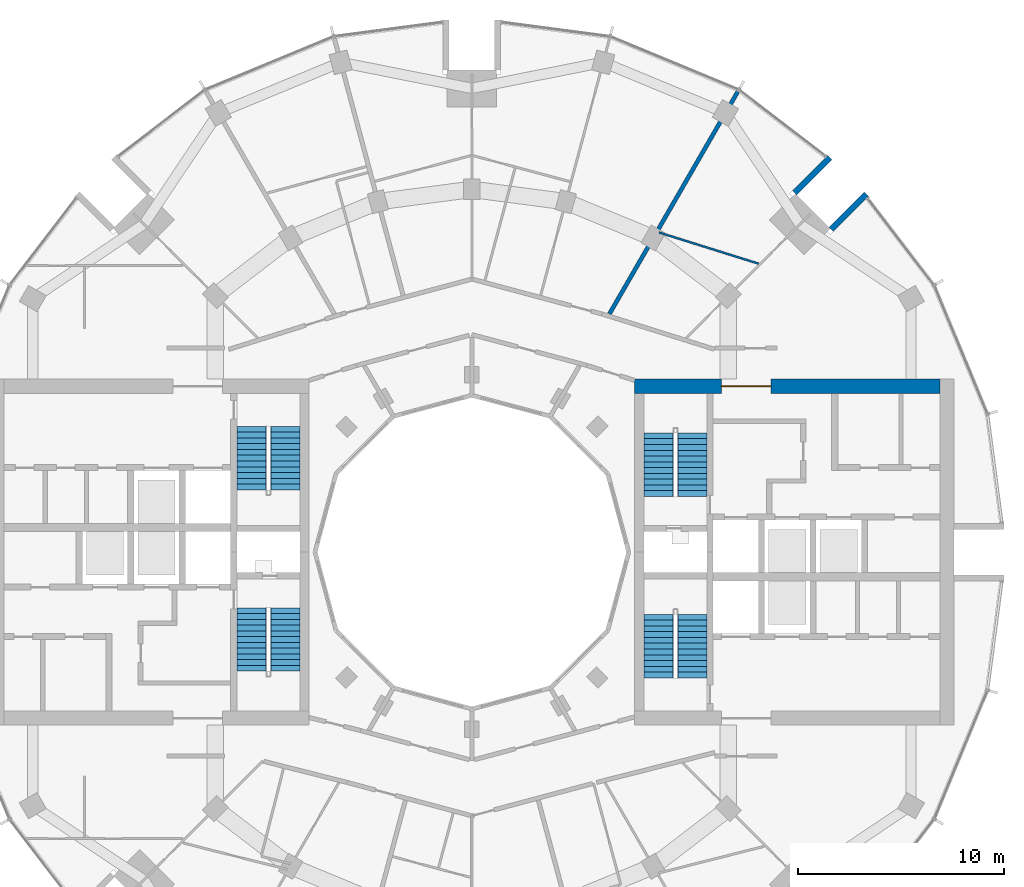
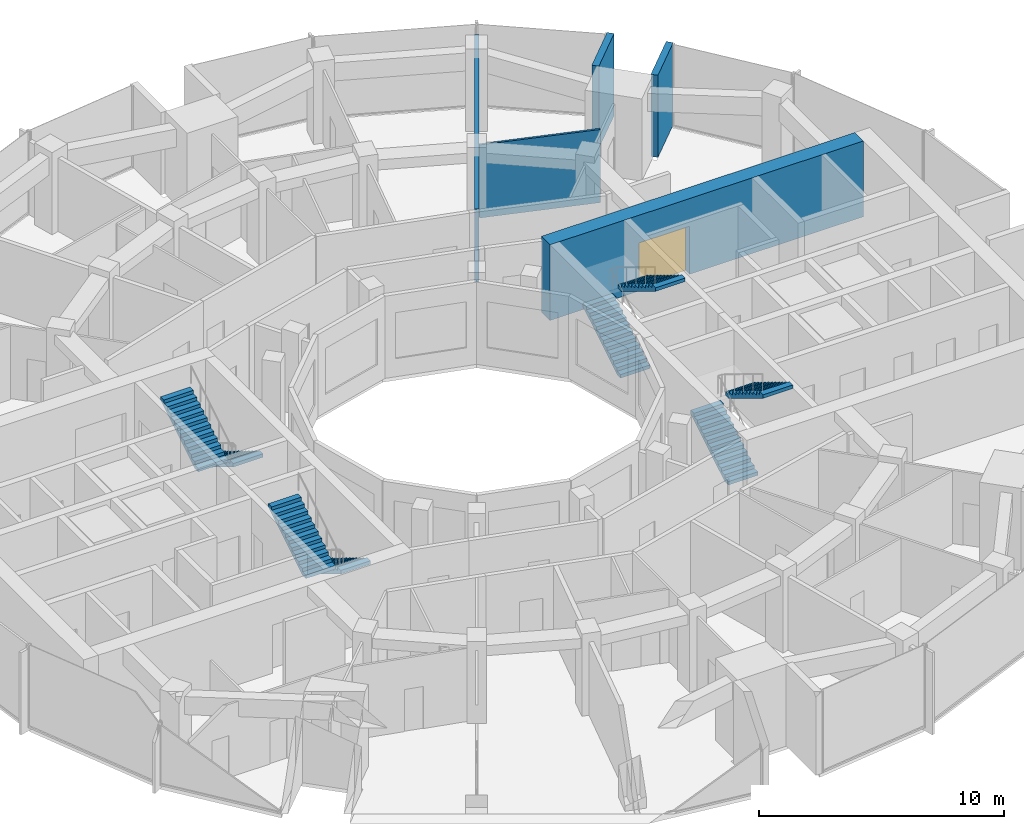
# One storey, part 13 of 15: 8 stair flights, 5 walls, 1 door, 1 opening, 4 elements without a shape of their own.
"""IFC4 building model written with IfcOpenShell, lengths in metres."""

from ifc_helpers import new_model, si_unit, direction, frame, frame_2d, origin, place, context, subcontext, project, spatial, polyline, rectangle, outline, extrude, material, layer, layer_set, type_object, element, fill, aggregate, save


model = new_model("IFC4")

# Units and contexts
model_context = context("Model", 3, precision=1e-05, world=origin(), true_north=direction((0.0, 1.0)))
body_context = subcontext(model_context, "Body", "Model", "MODEL_VIEW")
ifc_project = project(units=[si_unit("LENGTHUNIT", "METRE"), si_unit("AREAUNIT", "SQUARE_METRE"), si_unit("VOLUMEUNIT", "CUBIC_METRE"), si_unit("PLANEANGLEUNIT", "RADIAN"), si_unit("MASSUNIT", "GRAM", prefix="KILO")], contexts=[model_context])

# Site, building, storey
site_placement = place(None, origin())
site = spatial("IfcSite", under=ifc_project, at=site_placement, CompositionType="ELEMENT")
building_placement = place(site_placement, origin())
building = spatial("IfcBuilding", under=site, at=building_placement, Name="Torre Brocal", CompositionType="ELEMENT")
storey_placement = place(building_placement, frame((0.0, 0.0, 190.5)))
storey = spatial("IfcBuildingStorey", under=building, at=storey_placement, Name="L44", CompositionType="ELEMENT", Elevation=190.5)

# Wall, opening, door
ifc_material_1 = material(Name="Concrete C70", Category="concrete")
ifc_layer_1 = layer(ifc_material_1, 0.699951171875)
ifc_layer_set_1 = layer_set([ifc_layer_1], Name="Concrete C70")
wall_type_1 = type_object("IfcWallType", Name="CORE WALL 700 C70", PredefinedType="SHEAR", material=ifc_layer_set_1)
wall_1_placement = place(storey_placement, frame((87.89990234375, 83.050048828125, 0.0), z_axis=(0.0, 0.0, 1.0), x_axis=(1.0, 0.0, 0.0)))
wall_1 = element("IfcWall", 1, at=wall_1_placement, inside=storey, type_object=wall_type_1, Name="Wall CW700-70", PredefinedType="SHEAR", context=body_context, shape_type="SweptSolid", body=[
    extrude(rectangle(XDim=14.800048828125, YDim=0.699951171875, at=frame_2d((7.39990234375, 0.0))), origin(), (0.0, 0.0, 1.0), 3.780029296875),
])
opening_placement = place(wall_1_placement, frame((4.199951171875, 0.0, 0.0)))
opening = element("IfcOpeningElement", 2, at=opening_placement, cuts=wall_1, Name="Opening E-D34", PredefinedType="OPENING", context=body_context, shape_type="SweptSolid", body=[
    extrude(rectangle(XDim=2.39990234375, YDim=2.39990234375, at=frame_2d((1.199951171875, 1.199951171875))), frame((0.0, 0.35986328125, 0.0), z_axis=(0.0, -1.0, 0.0), x_axis=(1.0, 0.0, 0.0)), (0.0, 0.0, 1.0), 0.719970703125),
])
ifc_material_2 = material(Name="Steel A653", Category="steel")
door_type = type_object("IfcDoorType", Name="DOUBLE FIRE DOOR FD90 2400X2400", OperationType="DOUBLE_DOOR_SINGLE_SWING", PredefinedType="DOOR", material=ifc_material_2)
door_placement = place(opening_placement, frame((2.39990234375, 0.0, 0.0), z_axis=(0.0, 0.0, 1.0), x_axis=(-1.0, 0.0, 0.0)))
door = element("IfcDoor", 3, at=door_placement, inside=storey, type_object=door_type, Name="Door E-D34", OperationType="DOUBLE_DOOR_SINGLE_SWING", OverallHeight=2.39990234375, OverallWidth=2.39990234375, PredefinedType="DOOR", context=body_context, shape_type="SweptSolid", body=[
    extrude(rectangle(XDim=2.39990234375, YDim=2.39990234375, at=frame_2d((1.199951171875, 1.199951171875))), frame((0.0, 0.02490234375, 0.0), z_axis=(0.0, -1.0, 0.0), x_axis=(1.0, 0.0, 0.0)), (0.0, 0.0, 1.0), 0.050048828125),
])
fill(opening, door)

# Walls
ifc_material_3 = material(Name="Concrete C70", Category="concrete")
ifc_layer_2 = layer(ifc_material_3, 0.300048828125)
ifc_layer_set_2 = layer_set([ifc_layer_2], Name="Concrete C70")
wall_type_2 = type_object("IfcWallType", Name="NOTCH RETURN WALL 300 C70", PredefinedType="NOTDEFINED", material=ifc_layer_set_2)
for number, where, z_axis, x_axis, name in (
    (4, (97.43017578125, 90.662353515625, 0.0), (0.0, 0.0, 1.0), (0.707106781187, 0.707106781187, 0.0), "NOTCH RETURN WALL"),
    (5, (95.662353515625, 92.43017578125, 0.0), (0.0, 0.0, 1.0), (0.707106781187, 0.707106781187, 0.0), "NOTCH RETURN WALL"),
):
    element("IfcWall", number, at=place(storey_placement, frame(where, z_axis=z_axis, x_axis=x_axis)), inside=storey, type_object=wall_type_2, Name=name, PredefinedType="NOTDEFINED", context=body_context, shape_type="SweptSolid", body=[
        extrude(rectangle(XDim=2.415771484375, YDim=0.300048828125, at=frame_2d((1.2080078125, 0.0))), origin(), (0.0, 0.0, 1.0), 4.10009765625),
    ])
ifc_material_4 = material(Name="Gypsum board", Category="Gypsum")
ifc_layer_3 = layer(ifc_material_4, 0.10009765625)
ifc_layer_set_3 = layer_set([ifc_layer_3], Name="Gypsum board")
wall_type_3 = type_object("IfcWallType", Name="PARTITION 100", PredefinedType="PARTITIONING", material=ifc_layer_set_3)
wall_2_placement = place(storey_placement, frame((89.077880859375, 90.508056640625, 0.0), z_axis=(0.0, 0.0, 1.0), x_axis=(0.954199699612, -0.299170408398, 0.0)))
element("IfcWall", 6, at=wall_2_placement, inside=storey, type_object=wall_type_3, Name="BATHROOM WALL", PredefinedType="PARTITIONING", context=body_context, shape_type="SweptSolid", body=[
    extrude(rectangle(XDim=5.060302734375, YDim=0.10009765625, at=frame_2d((2.5302734375, 0.0))), origin(), (0.0, 0.0, 1.0), 3.64990234375),
])
ifc_material_5 = material(Name="Gypsum board", Category="Gypsum")
ifc_layer_4 = layer(ifc_material_5, 0.199951171875)
ifc_layer_set_4 = layer_set([ifc_layer_4], Name="Gypsum board")
wall_type_4 = type_object("IfcWallType", Name="PARTITION 200 EI60", PredefinedType="PARTITIONING", material=ifc_layer_set_4)
wall_3_placement = place(storey_placement, frame((86.67626953125, 86.562744140625, 0.0), z_axis=(0.0, 0.0, 1.0), x_axis=(0.500130524836, 0.865950032119, 0.0)))
element("IfcWall", 7, at=wall_3_placement, inside=storey, type_object=wall_type_4, Name="BATHROOM WALL", PredefinedType="PARTITIONING", context=body_context, shape_type="SweptSolid", body=[
    extrude(rectangle(XDim=12.446044921875, YDim=0.199951171875, at=frame_2d((6.22314453125, 0.0))), origin(), (0.0, 0.0, 1.0), 3.64990234375),
])

# Stair, stair flights
ifc_material_6 = material(Name="Concrete C50", Category="concrete")
stair_type = type_object("IfcStairType", Name="EXIT STAIR", PredefinedType="HALF_TURN_STAIR", material=ifc_material_6)
stair_1_placement = place(storey_placement, origin())
stair_1 = element("IfcStair", 8, at=stair_1_placement, inside=storey, type_object=stair_type, Name="EXIT STAIR ST1", PredefinedType="HALF_TURN_STAIR")
ifc_material_7 = material(Name="Concrete C50", Category="concrete")
ifc_layer_5 = layer(ifc_material_7, 0.14990234375)
ifc_layer_set_5 = layer_set([ifc_layer_5], Name="Concrete C50")
stair_flight_type = type_object("IfcStairFlightType", Name="STAIR FLIGHT", PredefinedType="STRAIGHT", material=ifc_layer_set_5)
stair_flight_1_placement = place(storey_placement, frame((89.050048828125, 77.699951171875, 0.0), z_axis=(0.0, 0.0, 1.0), x_axis=(0.0, 1.0, 0.0)))
stair_flight_1 = element("IfcStairFlight", 9, at=stair_flight_1_placement, type_object=stair_flight_type, Name="ST1 flight 1", NumberOfRisers=12, NumberOfTreads=11, PredefinedType="STRAIGHT", RiserHeight=0.170833333, TreadLength=0.28, context=body_context, shape_type="SweptSolid", body=[
    extrude(outline(polyline([(0.0, 0.0), (0.0, 0.1708984375), (0.280029296875, 0.1708984375), (0.280029296875, 0.341552734375), (0.56005859375, 0.341552734375), (0.56005859375, 0.512451171875), (0.840087890625, 0.512451171875), (0.840087890625, 0.683349609375), (1.1201171875, 0.683349609375), (1.1201171875, 0.854248046875), (1.39990234375, 0.854248046875), (1.39990234375, 1.02490234375), (1.679931640625, 1.02490234375), (1.679931640625, 1.19580078125), (1.9599609375, 1.19580078125), (1.9599609375, 1.36669921875), (2.239990234375, 1.36669921875), (2.239990234375, 1.53759765625), (2.52001953125, 1.53759765625), (2.52001953125, 1.708251953125), (2.800048828125, 1.708251953125), (2.800048828125, 1.879150390625), (3.080078125, 1.879150390625), (3.080078125, 2.050048828125), (3.080078125, 1.70361328125), (0.287841796875, 0.0), (0.0, 0.0)])), frame((0.0, 0.699951171875, 0.0), z_axis=(0.0, -1.0, 0.0), x_axis=(1.0, 0.0, 0.0)), (0.0, 0.0, 1.0), 1.39990234375),
])
stair_flight_2_placement = place(storey_placement, frame((90.699951171875, 80.780029296875, 2.050048828125), z_axis=(0.0, 0.0, 1.0), x_axis=(0.0, -1.0, 0.0)))
stair_flight_2 = element("IfcStairFlight", 10, at=stair_flight_2_placement, type_object=stair_flight_type, Name="ST1 flight 2", NumberOfRisers=12, NumberOfTreads=11, PredefinedType="STRAIGHT", RiserHeight=0.170833333, TreadLength=0.28, context=body_context, shape_type="SweptSolid", body=[
    extrude(outline(polyline([(0.0, 0.0), (0.0, 0.1708984375), (0.280029296875, 0.1708984375), (0.280029296875, 0.341552734375), (0.56005859375, 0.341552734375), (0.56005859375, 0.512451171875), (0.840087890625, 0.512451171875), (0.840087890625, 0.683349609375), (1.1201171875, 0.683349609375), (1.1201171875, 0.854248046875), (1.39990234375, 0.854248046875), (1.39990234375, 1.02490234375), (1.679931640625, 1.02490234375), (1.679931640625, 1.19580078125), (1.9599609375, 1.19580078125), (1.9599609375, 1.36669921875), (2.239990234375, 1.36669921875), (2.239990234375, 1.53759765625), (2.52001953125, 1.53759765625), (2.52001953125, 1.708251953125), (2.800048828125, 1.708251953125), (2.800048828125, 1.879150390625), (3.080078125, 1.879150390625), (3.080078125, 2.050048828125), (3.080078125, 1.70361328125), (0.287841796875, 0.0), (0.0, 0.0)])), frame((0.0, 0.699951171875, 0.0), z_axis=(0.0, -1.0, 0.0), x_axis=(1.0, 0.0, 0.0)), (0.0, 0.0, 1.0), 1.39990234375),
])
aggregate(stair_1, [stair_flight_1, stair_flight_2])

stair_2_placement = place(storey_placement, origin())
stair_2 = element("IfcStair", 11, at=stair_2_placement, inside=storey, type_object=stair_type, Name="EXIT STAIR ST2", PredefinedType="HALF_TURN_STAIR")
stair_flight_3_placement = place(storey_placement, frame((89.050048828125, 68.89990234375, 0.0), z_axis=(0.0, 0.0, 1.0), x_axis=(0.0, 1.0, 0.0)))
stair_flight_3 = element("IfcStairFlight", 12, at=stair_flight_3_placement, type_object=stair_flight_type, Name="ST2 flight 1", NumberOfRisers=12, NumberOfTreads=11, PredefinedType="STRAIGHT", RiserHeight=0.170833333, TreadLength=0.28, context=body_context, shape_type="SweptSolid", body=[
    extrude(outline(polyline([(0.0, 0.0), (0.0, 0.1708984375), (0.280029296875, 0.1708984375), (0.280029296875, 0.341552734375), (0.56005859375, 0.341552734375), (0.56005859375, 0.512451171875), (0.840087890625, 0.512451171875), (0.840087890625, 0.683349609375), (1.1201171875, 0.683349609375), (1.1201171875, 0.854248046875), (1.39990234375, 0.854248046875), (1.39990234375, 1.02490234375), (1.679931640625, 1.02490234375), (1.679931640625, 1.19580078125), (1.9599609375, 1.19580078125), (1.9599609375, 1.36669921875), (2.239990234375, 1.36669921875), (2.239990234375, 1.53759765625), (2.52001953125, 1.53759765625), (2.52001953125, 1.708251953125), (2.800048828125, 1.708251953125), (2.800048828125, 1.879150390625), (3.080078125, 1.879150390625), (3.080078125, 2.050048828125), (3.080078125, 1.70361328125), (0.287841796875, 0.0), (0.0, 0.0)])), frame((0.0, 0.699951171875, 0.0), z_axis=(0.0, -1.0, 0.0), x_axis=(1.0, 0.0, 0.0)), (0.0, 0.0, 1.0), 1.39990234375),
])
stair_flight_4_placement = place(storey_placement, frame((90.699951171875, 71.97998046875, 2.050048828125), z_axis=(0.0, 0.0, 1.0), x_axis=(0.0, -1.0, 0.0)))
stair_flight_4 = element("IfcStairFlight", 13, at=stair_flight_4_placement, type_object=stair_flight_type, Name="ST2 flight 2", NumberOfRisers=12, NumberOfTreads=11, PredefinedType="STRAIGHT", RiserHeight=0.170833333, TreadLength=0.28, context=body_context, shape_type="SweptSolid", body=[
    extrude(outline(polyline([(0.0, 0.0), (0.0, 0.1708984375), (0.280029296875, 0.1708984375), (0.280029296875, 0.341552734375), (0.56005859375, 0.341552734375), (0.56005859375, 0.512451171875), (0.840087890625, 0.512451171875), (0.840087890625, 0.683349609375), (1.1201171875, 0.683349609375), (1.1201171875, 0.854248046875), (1.39990234375, 0.854248046875), (1.39990234375, 1.02490234375), (1.679931640625, 1.02490234375), (1.679931640625, 1.19580078125), (1.9599609375, 1.19580078125), (1.9599609375, 1.36669921875), (2.239990234375, 1.36669921875), (2.239990234375, 1.53759765625), (2.52001953125, 1.53759765625), (2.52001953125, 1.708251953125), (2.800048828125, 1.708251953125), (2.800048828125, 1.879150390625), (3.080078125, 1.879150390625), (3.080078125, 2.050048828125), (3.080078125, 1.70361328125), (0.287841796875, 0.0), (0.0, 0.0)])), frame((0.0, 0.699951171875, 0.0), z_axis=(0.0, -1.0, 0.0), x_axis=(1.0, 0.0, 0.0)), (0.0, 0.0, 1.0), 1.39990234375),
])
aggregate(stair_2, [stair_flight_3, stair_flight_4])

stair_3_placement = place(storey_placement, origin())
stair_3 = element("IfcStair", 14, at=stair_3_placement, inside=storey, type_object=stair_type, Name="EXIT STAIR ST3", PredefinedType="HALF_TURN_STAIR")
stair_flight_5_placement = place(storey_placement, frame((70.949951171875, 72.300048828125, 0.0), z_axis=(0.0, 0.0, 1.0), x_axis=(0.0, -1.0, 0.0)))
stair_flight_5 = element("IfcStairFlight", 15, at=stair_flight_5_placement, type_object=stair_flight_type, Name="ST3 flight 1", NumberOfRisers=12, NumberOfTreads=11, PredefinedType="STRAIGHT", RiserHeight=0.170833333, TreadLength=0.28, context=body_context, shape_type="SweptSolid", body=[
    extrude(outline(polyline([(0.0, 0.0), (0.0, 0.1708984375), (0.280029296875, 0.1708984375), (0.280029296875, 0.341552734375), (0.56005859375, 0.341552734375), (0.56005859375, 0.512451171875), (0.840087890625, 0.512451171875), (0.840087890625, 0.683349609375), (1.1201171875, 0.683349609375), (1.1201171875, 0.854248046875), (1.39990234375, 0.854248046875), (1.39990234375, 1.02490234375), (1.679931640625, 1.02490234375), (1.679931640625, 1.19580078125), (1.9599609375, 1.19580078125), (1.9599609375, 1.36669921875), (2.239990234375, 1.36669921875), (2.239990234375, 1.53759765625), (2.52001953125, 1.53759765625), (2.52001953125, 1.708251953125), (2.800048828125, 1.708251953125), (2.800048828125, 1.879150390625), (3.080078125, 1.879150390625), (3.080078125, 2.050048828125), (3.080078125, 1.70361328125), (0.287841796875, 0.0), (0.0, 0.0)])), frame((0.0, 0.699951171875, 0.0), z_axis=(0.0, -1.0, 0.0), x_axis=(1.0, 0.0, 0.0)), (0.0, 0.0, 1.0), 1.39990234375),
])
stair_flight_6_placement = place(storey_placement, frame((69.300048828125, 69.219970703125, 2.050048828125), z_axis=(0.0, 0.0, 1.0), x_axis=(0.0, 1.0, 0.0)))
stair_flight_6 = element("IfcStairFlight", 16, at=stair_flight_6_placement, type_object=stair_flight_type, Name="ST3 flight 2", NumberOfRisers=12, NumberOfTreads=11, PredefinedType="STRAIGHT", RiserHeight=0.170833333, TreadLength=0.28, context=body_context, shape_type="SweptSolid", body=[
    extrude(outline(polyline([(0.0, 0.0), (0.0, 0.1708984375), (0.280029296875, 0.1708984375), (0.280029296875, 0.341552734375), (0.56005859375, 0.341552734375), (0.56005859375, 0.512451171875), (0.840087890625, 0.512451171875), (0.840087890625, 0.683349609375), (1.1201171875, 0.683349609375), (1.1201171875, 0.854248046875), (1.39990234375, 0.854248046875), (1.39990234375, 1.02490234375), (1.679931640625, 1.02490234375), (1.679931640625, 1.19580078125), (1.9599609375, 1.19580078125), (1.9599609375, 1.36669921875), (2.239990234375, 1.36669921875), (2.239990234375, 1.53759765625), (2.52001953125, 1.53759765625), (2.52001953125, 1.708251953125), (2.800048828125, 1.708251953125), (2.800048828125, 1.879150390625), (3.080078125, 1.879150390625), (3.080078125, 2.050048828125), (3.080078125, 1.70361328125), (0.287841796875, 0.0), (0.0, 0.0)])), frame((0.0, 0.699951171875, 0.0), z_axis=(0.0, -1.0, 0.0), x_axis=(1.0, 0.0, 0.0)), (0.0, 0.0, 1.0), 1.39990234375),
])
aggregate(stair_3, [stair_flight_5, stair_flight_6])

stair_4_placement = place(storey_placement, origin())
stair_4 = element("IfcStair", 17, at=stair_4_placement, inside=storey, type_object=stair_type, Name="EXIT STAIR ST4", PredefinedType="HALF_TURN_STAIR")
stair_flight_7_placement = place(storey_placement, frame((70.949951171875, 81.10009765625, 0.0), z_axis=(0.0, 0.0, 1.0), x_axis=(0.0, -1.0, 0.0)))
stair_flight_7 = element("IfcStairFlight", 18, at=stair_flight_7_placement, type_object=stair_flight_type, Name="ST4 flight 1", NumberOfRisers=12, NumberOfTreads=11, PredefinedType="STRAIGHT", RiserHeight=0.170833333, TreadLength=0.28, context=body_context, shape_type="SweptSolid", body=[
    extrude(outline(polyline([(0.0, 0.0), (0.0, 0.1708984375), (0.280029296875, 0.1708984375), (0.280029296875, 0.341552734375), (0.56005859375, 0.341552734375), (0.56005859375, 0.512451171875), (0.840087890625, 0.512451171875), (0.840087890625, 0.683349609375), (1.1201171875, 0.683349609375), (1.1201171875, 0.854248046875), (1.39990234375, 0.854248046875), (1.39990234375, 1.02490234375), (1.679931640625, 1.02490234375), (1.679931640625, 1.19580078125), (1.9599609375, 1.19580078125), (1.9599609375, 1.36669921875), (2.239990234375, 1.36669921875), (2.239990234375, 1.53759765625), (2.52001953125, 1.53759765625), (2.52001953125, 1.708251953125), (2.800048828125, 1.708251953125), (2.800048828125, 1.879150390625), (3.080078125, 1.879150390625), (3.080078125, 2.050048828125), (3.080078125, 1.70361328125), (0.287841796875, 0.0), (0.0, 0.0)])), frame((0.0, 0.699951171875, 0.0), z_axis=(0.0, -1.0, 0.0), x_axis=(1.0, 0.0, 0.0)), (0.0, 0.0, 1.0), 1.39990234375),
])
stair_flight_8_placement = place(storey_placement, frame((69.300048828125, 78.02001953125, 2.050048828125), z_axis=(0.0, 0.0, 1.0), x_axis=(0.0, 1.0, 0.0)))
stair_flight_8 = element("IfcStairFlight", 19, at=stair_flight_8_placement, type_object=stair_flight_type, Name="ST4 flight 2", NumberOfRisers=12, NumberOfTreads=11, PredefinedType="STRAIGHT", RiserHeight=0.170833333, TreadLength=0.28, context=body_context, shape_type="SweptSolid", body=[
    extrude(outline(polyline([(0.0, 0.0), (0.0, 0.1708984375), (0.280029296875, 0.1708984375), (0.280029296875, 0.341552734375), (0.56005859375, 0.341552734375), (0.56005859375, 0.512451171875), (0.840087890625, 0.512451171875), (0.840087890625, 0.683349609375), (1.1201171875, 0.683349609375), (1.1201171875, 0.854248046875), (1.39990234375, 0.854248046875), (1.39990234375, 1.02490234375), (1.679931640625, 1.02490234375), (1.679931640625, 1.19580078125), (1.9599609375, 1.19580078125), (1.9599609375, 1.36669921875), (2.239990234375, 1.36669921875), (2.239990234375, 1.53759765625), (2.52001953125, 1.53759765625), (2.52001953125, 1.708251953125), (2.800048828125, 1.708251953125), (2.800048828125, 1.879150390625), (3.080078125, 1.879150390625), (3.080078125, 2.050048828125), (3.080078125, 1.70361328125), (0.287841796875, 0.0), (0.0, 0.0)])), frame((0.0, 0.699951171875, 0.0), z_axis=(0.0, -1.0, 0.0), x_axis=(1.0, 0.0, 0.0)), (0.0, 0.0, 1.0), 1.39990234375),
])
aggregate(stair_4, [stair_flight_7, stair_flight_8])

save(model, "model.ifc")
